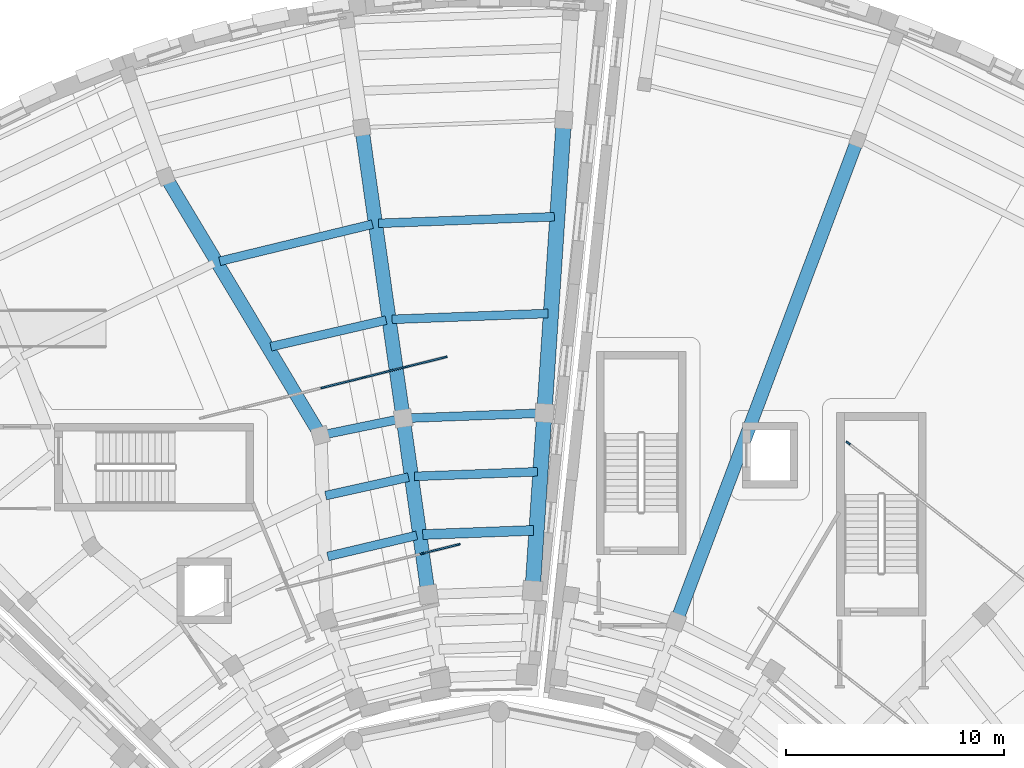
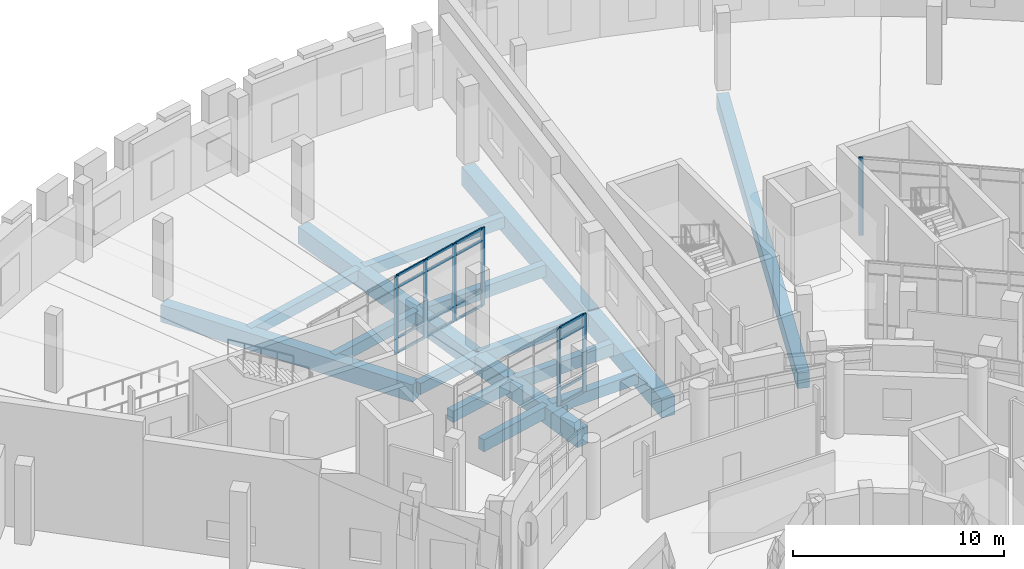
# One storey, part 23 of 75: 23 members, 16 beams, 3 elements without a shape of their own.
"""IFC4 building model written with IfcOpenShell, lengths in metres."""

from ifc_helpers import new_model, si_unit, direction, frame, origin, origin_2d, place, context, subcontext, project, spatial, rectangle, extrude, material, material_profile, profile_set, type_object, element, aggregate, save


model = new_model("IFC4")

# Units and contexts
model_context = context("Model", 3, precision=1e-05, world=origin(), true_north=direction((0.0, 1.0)))
body_context = subcontext(model_context, "Body", "Model", "MODEL_VIEW")
ifc_project = project(units=[si_unit("LENGTHUNIT", "METRE"), si_unit("AREAUNIT", "SQUARE_METRE"), si_unit("VOLUMEUNIT", "CUBIC_METRE"), si_unit("PLANEANGLEUNIT", "RADIAN"), si_unit("MASSUNIT", "GRAM", prefix="KILO")], contexts=[model_context])

# Site, building, storey
site_placement = place(None, origin())
site = spatial("IfcSite", under=ifc_project, at=site_placement, CompositionType="ELEMENT")
building_placement = place(site_placement, origin())
building = spatial("IfcBuilding", under=site, at=building_placement, Name="Soyqirgoq Riverine Aquarium", CompositionType="ELEMENT")
storey_placement = place(building_placement, frame((0.0, 0.0, 10.199951171875)))
storey = spatial("IfcBuildingStorey", under=building, at=storey_placement, Name="L03", CompositionType="ELEMENT", Elevation=10.199951171875)

# Beams
ifc_material_1 = material(Name="Concrete C40/50", Category="concrete")
ifc_material_profile_1 = material_profile(ifc_material_1, rectangle(XDim=0.39990234375, YDim=0.60009765625, at=origin_2d()), Name="RC 400x600")
ifc_profile_set_1 = profile_set([ifc_material_profile_1], Name="Concrete C40/50")
beam_type_1 = type_object("IfcBeamType", Name="Beam_RC_400x600", PredefinedType="JOIST", material=ifc_profile_set_1)
beam_1_placement = place(storey_placement, frame((50.197998046875, 96.77734375, -0.599853515625), z_axis=(-0.971787927417, -0.235856363336, 0.0), x_axis=(0.235856363336, -0.971787927417, 0.0)))
element("IfcBeam", 1, at=beam_1_placement, inside=storey, type_object=beam_type_1, Name="V4 L03 Secondary Floor Joist 0656", PredefinedType="JOIST", context=body_context, shape_type="SweptSolid", body=[
    extrude(rectangle(XDim=0.39990234375, YDim=0.60009765625, at=origin_2d()), origin(), (0.0, 0.0, 1.0), 7.1962890625),
])
ifc_material_2 = material(Name="Concrete C40/50", Category="concrete")
ifc_material_profile_2 = material_profile(ifc_material_2, rectangle(XDim=0.39990234375, YDim=0.64990234375, at=origin_2d()), Name="RC 400x650")
ifc_profile_set_2 = profile_set([ifc_material_profile_2], Name="Concrete C40/50")
beam_type_2 = type_object("IfcBeamType", Name="Beam_RC_400x650", PredefinedType="BEAM", material=ifc_profile_set_2)
beam_2_placement = place(storey_placement, frame((51.84619140625, 85.195556640625, -0.625), z_axis=(-0.976074551465, -0.217436128513, 0.0), x_axis=(0.217436128513, -0.976074551465, 0.0)))
element("IfcBeam", 2, at=beam_2_placement, inside=storey, type_object=beam_type_2, Name="V4 L03 Secondary Floor Joist 0645", PredefinedType="BEAM", context=body_context, shape_type="SweptSolid", body=[
    extrude(rectangle(XDim=0.39990234375, YDim=0.64990234375, at=origin_2d()), origin(), (0.0, 0.0, 1.0), 3.885009765625),
])
beam_3_placement = place(storey_placement, frame((51.554931640625, 87.878662109375, -0.625), z_axis=(-0.979400860491, -0.20192561618, 0.0), x_axis=(0.20192561618, -0.979400860491, 0.0)))
element("IfcBeam", 3, at=beam_3_placement, inside=storey, type_object=beam_type_2, Name="V4 L03 Wedge Chord Beam 0651", PredefinedType="BEAM", context=body_context, shape_type="SweptSolid", body=[
    extrude(rectangle(XDim=0.39990234375, YDim=0.64990234375, at=origin_2d()), origin(), (0.0, 0.0, 1.0), 3.763916015625),
])
beam_4_placement = place(storey_placement, frame((58.52490234375, 97.117919921875, -0.625), z_axis=(-0.999296026099, -0.03751602621, 0.0), x_axis=(0.03751602621, -0.999296026099, 0.0)))
element("IfcBeam", 4, at=beam_4_placement, inside=storey, type_object=beam_type_2, Name="V4 L03 Secondary Floor Joist 0654", PredefinedType="BEAM", context=body_context, shape_type="SweptSolid", body=[
    extrude(rectangle(XDim=0.39990234375, YDim=0.64990234375, at=origin_2d()), origin(), (0.0, 0.0, 1.0), 8.056396484375),
])
beam_5_placement = place(storey_placement, frame((50.822998046875, 92.384765625, -0.625), z_axis=(-0.974458007266, -0.224569793329, 0.0), x_axis=(0.224569793329, -0.974458007266, 0.0)))
element("IfcBeam", 5, at=beam_5_placement, inside=storey, type_object=beam_type_2, Name="V4 L03 Secondary Floor Joist 0655", PredefinedType="BEAM", context=body_context, shape_type="SweptSolid", body=[
    extrude(rectangle(XDim=0.39990234375, YDim=0.64990234375, at=origin_2d()), origin(), (0.0, 0.0, 1.0), 5.416259765625),
])
ifc_material_3 = material(Name="Concrete C40/50", Category="concrete")
ifc_material_profile_3 = material_profile(ifc_material_3, rectangle(XDim=0.39990234375, YDim=0.699951171875, at=origin_2d()), Name="RC 400x700")
ifc_profile_set_3 = profile_set([ifc_material_profile_3], Name="Concrete C40/50")
beam_type_3 = type_object("IfcBeamType", Name="Beam_RC_400x700", PredefinedType="BEAM", material=ifc_profile_set_3)
beam_6_placement = place(storey_placement, frame((57.74951171875, 85.442626953125, -0.64990234375), z_axis=(-0.999294791735, -0.037548890946, 0.0), x_axis=(0.037548890946, -0.999294791735, 0.0)))
element("IfcBeam", 6, at=beam_6_placement, inside=storey, type_object=beam_type_3, Name="V4 L03 Secondary Floor Joist 0643", PredefinedType="BEAM", context=body_context, shape_type="SweptSolid", body=[
    extrude(rectangle(XDim=0.39990234375, YDim=0.699951171875, at=origin_2d()), origin(), (0.0, 0.0, 1.0), 5.630615234375),
])
beam_7_placement = place(storey_placement, frame((52.2255859375, 82.531005859375, -0.64990234375), z_axis=(-0.973004184132, -0.230787472931, 0.0), x_axis=(0.230787472931, -0.973004184132, 0.0)))
element("IfcBeam", 7, at=beam_7_placement, inside=storey, type_object=beam_type_3, Name="V4 L03 Secondary Floor Joist 0644", PredefinedType="BEAM", context=body_context, shape_type="SweptSolid", body=[
    extrude(rectangle(XDim=0.39990234375, YDim=0.699951171875, at=origin_2d()), origin(), (0.0, 0.0, 1.0), 4.18701171875),
])
beam_8_placement = place(storey_placement, frame((58.017578125, 88.12939453125, -0.64990234375), z_axis=(-0.999296861804, -0.037493759336, 0.0), x_axis=(0.037493759336, -0.999296861804, 0.0)))
element("IfcBeam", 8, at=beam_8_placement, inside=storey, type_object=beam_type_3, Name="V4 L03 Wedge Chord Beam 0650", PredefinedType="BEAM", context=body_context, shape_type="SweptSolid", body=[
    extrude(rectangle(XDim=0.39990234375, YDim=0.699951171875, at=origin_2d()), origin(), (0.0, 0.0, 1.0), 6.3681640625),
])
beam_9_placement = place(storey_placement, frame((58.23095703125, 92.689208984375, -0.64990234375), z_axis=(-0.999295532378, -0.037529174906, 0.0), x_axis=(0.037529174906, -0.999295532378, 0.0)))
element("IfcBeam", 9, at=beam_9_placement, inside=storey, type_object=beam_type_3, Name="V4 L03 Secondary Floor Joist 0653", PredefinedType="BEAM", context=body_context, shape_type="SweptSolid", body=[
    extrude(rectangle(XDim=0.39990234375, YDim=0.699951171875, at=origin_2d()), origin(), (0.0, 0.0, 1.0), 7.136474609375),
])
ifc_material_4 = material(Name="Concrete C40/50", Category="concrete")
ifc_material_profile_4 = material_profile(ifc_material_4, rectangle(XDim=0.449951171875, YDim=0.64990234375, at=origin_2d()), Name="RC 450x650")
ifc_profile_set_4 = profile_set([ifc_material_profile_4], Name="Concrete C40/50")
beam_type_4 = type_object("IfcBeamType", Name="Beam_RC_450x650", PredefinedType="BEAM", material=ifc_profile_set_4)
beam_10_placement = place(storey_placement, frame((57.5712890625, 82.759033203125, -0.625), z_axis=(-0.999295248441, -0.037536734591, 0.0), x_axis=(0.037536734591, -0.999295248441, 0.0)))
element("IfcBeam", 10, at=beam_10_placement, inside=storey, type_object=beam_type_4, Name="V4 L03 Secondary Floor Joist 0642", PredefinedType="BEAM", context=body_context, shape_type="SweptSolid", body=[
    extrude(rectangle(XDim=0.449951171875, YDim=0.64990234375, at=origin_2d()), origin(), (0.0, 0.0, 1.0), 5.0732421875),
])

# Curtain wall, members
ifc_material_5 = material(Name="Cast polymethyl methacrylate PMMA Habitat Viewing Glazing", Category="glass")
curtain_wall_type = type_object("IfcCurtainWallType", Name="CW_Interior_TankVitrine", PredefinedType="NOTDEFINED", material=ifc_material_5)
curtain_wall_1_placement = place(storey_placement, origin())
curtain_wall_1 = element("IfcCurtainWall", 11, at=curtain_wall_1_placement, inside=storey, type_object=curtain_wall_type, Name="V4 L03 Curtain Wall 155", PredefinedType="NOTDEFINED")
ifc_material_6 = material(Name="Anodised aluminium 6063-T6", Category="aluminium")
ifc_material_profile_5 = material_profile(ifc_material_6, rectangle(XDim=0.080078125, YDim=0.219970703125, at=origin_2d()), Name="ALU-M 80x220")
ifc_profile_set_5 = profile_set([ifc_material_profile_5], Name="Anodised aluminium 6063-T6")
member_type_1 = type_object("IfcMemberType", Name="CWMullion_80x220", PredefinedType="MULLION", material=ifc_profile_set_5)
member_1_placement = place(storey_placement, frame((54.106201171875, 82.104736328125, 0.0), z_axis=(0.0, 0.0, 1.0), x_axis=(0.241922023881, -0.970295694292, 0.0)))
member_1 = element("IfcMember", 12, at=member_1_placement, type_object=member_type_1, Name="CW-07 mullion 1", PredefinedType="MULLION", context=body_context, shape_type="SweptSolid", body=[
    extrude(rectangle(XDim=0.080078125, YDim=0.219970703125, at=origin_2d()), origin(), (0.0, 0.0, 1.0), 4.52001953125),
])
member_2_placement = place(storey_placement, frame((52.485595703125, 81.70068359375, 0.0), z_axis=(0.0, 0.0, 1.0), x_axis=(0.241922023881, -0.970295694292, 0.0)))
member_2 = element("IfcMember", 13, at=member_2_placement, type_object=member_type_1, Name="CW-07 mullion 2", PredefinedType="MULLION", context=body_context, shape_type="SweptSolid", body=[
    extrude(rectangle(XDim=0.080078125, YDim=0.219970703125, at=origin_2d()), origin(), (0.0, 0.0, 1.0), 4.52001953125),
])

curtain_wall_2_placement = place(storey_placement, origin())
curtain_wall_2 = element("IfcCurtainWall", 14, at=curtain_wall_2_placement, inside=storey, type_object=curtain_wall_type, Name="V4 L03 Curtain Wall 156", PredefinedType="NOTDEFINED")
member_3_placement = place(storey_placement, frame((53.50634765625, 90.683837890625, 0.0), z_axis=(0.0, 0.0, 1.0), x_axis=(0.241925862079, -0.970294737313, 0.0)))
member_3 = element("IfcMember", 15, at=member_3_placement, type_object=member_type_1, Name="CW-07 mullion 1", PredefinedType="MULLION", context=body_context, shape_type="SweptSolid", body=[
    extrude(rectangle(XDim=0.080078125, YDim=0.219970703125, at=origin_2d()), origin(), (0.0, 0.0, 1.0), 4.52001953125),
])
member_4_placement = place(storey_placement, frame((51.67919921875, 90.228271484375, 0.0), z_axis=(0.0, 0.0, 1.0), x_axis=(0.241925862079, -0.970294737313, 0.0)))
member_4 = element("IfcMember", 16, at=member_4_placement, type_object=member_type_1, Name="CW-07 mullion 2", PredefinedType="MULLION", context=body_context, shape_type="SweptSolid", body=[
    extrude(rectangle(XDim=0.080078125, YDim=0.219970703125, at=origin_2d()), origin(), (0.0, 0.0, 1.0), 4.52001953125),
])
member_5_placement = place(storey_placement, frame((49.813232421875, 89.762939453125, 0.0), z_axis=(0.0, 0.0, 1.0), x_axis=(0.241925862079, -0.970294737313, 0.0)))
member_5 = element("IfcMember", 17, at=member_5_placement, type_object=member_type_1, Name="CW-07 mullion 3", PredefinedType="MULLION", context=body_context, shape_type="SweptSolid", body=[
    extrude(rectangle(XDim=0.080078125, YDim=0.219970703125, at=origin_2d()), origin(), (0.0, 0.0, 1.0), 4.52001953125),
])
member_6_placement = place(storey_placement, frame((47.947265625, 89.2978515625, 0.0), z_axis=(0.0, 0.0, 1.0), x_axis=(0.241925862079, -0.970294737313, 0.0)))
member_6 = element("IfcMember", 18, at=member_6_placement, type_object=member_type_1, Name="CW-07 mullion 4", PredefinedType="MULLION", context=body_context, shape_type="SweptSolid", body=[
    extrude(rectangle(XDim=0.080078125, YDim=0.219970703125, at=origin_2d()), origin(), (0.0, 0.0, 1.0), 4.52001953125),
])

# Curtain wall, member
curtain_wall_3_placement = place(storey_placement, origin())
curtain_wall_3 = element("IfcCurtainWall", 19, at=curtain_wall_3_placement, inside=storey, type_object=curtain_wall_type, Name="V5 L03 Curtain Wall 162", PredefinedType="NOTDEFINED")
member_7_placement = place(storey_placement, frame((71.978515625, 86.75732421875, 0.0), z_axis=(0.0, 0.0, 1.0), x_axis=(-0.615655141832, -0.788015701833, 0.0)))
member_7 = element("IfcMember", 20, at=member_7_placement, type_object=member_type_1, Name="CW-07 mullion 7", PredefinedType="MULLION", context=body_context, shape_type="SweptSolid", body=[
    extrude(rectangle(XDim=0.080078125, YDim=0.219970703125, at=origin_2d()), origin(), (0.0, 0.0, 1.0), 4.52001953125),
])
aggregate(curtain_wall_3, [member_7])

# Member
ifc_material_7 = material(Name="Anodised aluminium 6063-T6", Category="aluminium")
ifc_material_profile_6 = material_profile(ifc_material_7, rectangle(XDim=0.074951171875, YDim=0.14990234375, at=origin_2d()), Name="ALU-T 75x150")
ifc_profile_set_6 = profile_set([ifc_material_profile_6], Name="Anodised aluminium 6063-T6")
member_type_2 = type_object("IfcMemberType", Name="CWTransom_75x150", PredefinedType="USERDEFINED", material=ifc_profile_set_6)
member_8_placement = place(storey_placement, frame((54.0673828125, 82.094970703125, 0.03759765625), z_axis=(-0.970286823405, -0.241957600267, 0.0), x_axis=(0.241957600267, -0.970286823405, 0.0)))
member_8 = element("IfcMember", 21, at=member_8_placement, type_object=member_type_2, Name="CW-07 transom 1.1", ObjectType="TRANSOM", PredefinedType="USERDEFINED", context=body_context, shape_type="SweptSolid", body=[
    extrude(rectangle(XDim=0.074951171875, YDim=0.14990234375, at=origin_2d()), origin(), (0.0, 0.0, 1.0), 1.59033203125),
])

member_9_placement = place(storey_placement, frame((54.0673828125, 82.094970703125, 0.900146484375), z_axis=(-0.970286823405, -0.241957600267, 0.0), x_axis=(0.241957600267, -0.970286823405, 0.0)))
member_9 = element("IfcMember", 22, at=member_9_placement, type_object=member_type_2, Name="CW-07 transom 1.2", ObjectType="TRANSOM", PredefinedType="USERDEFINED", context=body_context, shape_type="SweptSolid", body=[
    extrude(rectangle(XDim=0.074951171875, YDim=0.14990234375, at=origin_2d()), origin(), (0.0, 0.0, 1.0), 1.59033203125),
])

member_10_placement = place(storey_placement, frame((54.0673828125, 82.094970703125, 3.820068359375), z_axis=(-0.970286823405, -0.241957600267, 0.0), x_axis=(0.241957600267, -0.970286823405, 0.0)))
member_10 = element("IfcMember", 23, at=member_10_placement, type_object=member_type_2, Name="CW-07 transom 1.3", ObjectType="TRANSOM", PredefinedType="USERDEFINED", context=body_context, shape_type="SweptSolid", body=[
    extrude(rectangle(XDim=0.074951171875, YDim=0.14990234375, at=origin_2d()), origin(), (0.0, 0.0, 1.0), 1.59033203125),
])

member_11_placement = place(storey_placement, frame((54.0673828125, 82.094970703125, 4.482666015625), z_axis=(-0.970286823405, -0.241957600267, 0.0), x_axis=(0.241957600267, -0.970286823405, 0.0)))
member_11 = element("IfcMember", 24, at=member_11_placement, type_object=member_type_2, Name="CW-07 transom 1.4", ObjectType="TRANSOM", PredefinedType="USERDEFINED", context=body_context, shape_type="SweptSolid", body=[
    extrude(rectangle(XDim=0.074951171875, YDim=0.14990234375, at=origin_2d()), origin(), (0.0, 0.0, 1.0), 1.59033203125),
])

aggregate(curtain_wall_1, [member_1, member_2, member_8, member_9, member_10, member_11])

member_12_placement = place(storey_placement, frame((53.467529296875, 90.674072265625, 0.03759765625), z_axis=(-0.970317477886, -0.241834637944, 0.0), x_axis=(0.241834637944, -0.970317477886, 0.0)))
member_12 = element("IfcMember", 25, at=member_12_placement, type_object=member_type_2, Name="CW-07 transom 1.1", ObjectType="TRANSOM", PredefinedType="USERDEFINED", context=body_context, shape_type="SweptSolid", body=[
    extrude(rectangle(XDim=0.074951171875, YDim=0.14990234375, at=origin_2d()), origin(), (0.0, 0.0, 1.0), 1.802978515625),
])

member_13_placement = place(storey_placement, frame((53.467529296875, 90.674072265625, 0.900146484375), z_axis=(-0.970317477886, -0.241834637944, 0.0), x_axis=(0.241834637944, -0.970317477886, 0.0)))
member_13 = element("IfcMember", 26, at=member_13_placement, type_object=member_type_2, Name="CW-07 transom 1.2", ObjectType="TRANSOM", PredefinedType="USERDEFINED", context=body_context, shape_type="SweptSolid", body=[
    extrude(rectangle(XDim=0.074951171875, YDim=0.14990234375, at=origin_2d()), origin(), (0.0, 0.0, 1.0), 1.802978515625),
])

member_14_placement = place(storey_placement, frame((53.467529296875, 90.674072265625, 3.820068359375), z_axis=(-0.970317477886, -0.241834637944, 0.0), x_axis=(0.241834637944, -0.970317477886, 0.0)))
member_14 = element("IfcMember", 27, at=member_14_placement, type_object=member_type_2, Name="CW-07 transom 1.3", ObjectType="TRANSOM", PredefinedType="USERDEFINED", context=body_context, shape_type="SweptSolid", body=[
    extrude(rectangle(XDim=0.074951171875, YDim=0.14990234375, at=origin_2d()), origin(), (0.0, 0.0, 1.0), 1.802978515625),
])

member_15_placement = place(storey_placement, frame((53.467529296875, 90.674072265625, 4.482666015625), z_axis=(-0.970317477886, -0.241834637944, 0.0), x_axis=(0.241834637944, -0.970317477886, 0.0)))
member_15 = element("IfcMember", 28, at=member_15_placement, type_object=member_type_2, Name="CW-07 transom 1.4", ObjectType="TRANSOM", PredefinedType="USERDEFINED", context=body_context, shape_type="SweptSolid", body=[
    extrude(rectangle(XDim=0.074951171875, YDim=0.14990234375, at=origin_2d()), origin(), (0.0, 0.0, 1.0), 1.802978515625),
])

member_16_placement = place(storey_placement, frame((51.640380859375, 90.218505859375, 0.03759765625), z_axis=(-0.970305912546, -0.241881037039, 0.0), x_axis=(0.241881037039, -0.970305912546, 0.0)))
member_16 = element("IfcMember", 29, at=member_16_placement, type_object=member_type_2, Name="CW-07 transom 2.1", ObjectType="TRANSOM", PredefinedType="USERDEFINED", context=body_context, shape_type="SweptSolid", body=[
    extrude(rectangle(XDim=0.074951171875, YDim=0.14990234375, at=origin_2d()), origin(), (0.0, 0.0, 1.0), 1.843017578125),
])

member_17_placement = place(storey_placement, frame((51.640380859375, 90.218505859375, 0.900146484375), z_axis=(-0.970305912546, -0.241881037039, 0.0), x_axis=(0.241881037039, -0.970305912546, 0.0)))
member_17 = element("IfcMember", 30, at=member_17_placement, type_object=member_type_2, Name="CW-07 transom 2.2", ObjectType="TRANSOM", PredefinedType="USERDEFINED", context=body_context, shape_type="SweptSolid", body=[
    extrude(rectangle(XDim=0.074951171875, YDim=0.14990234375, at=origin_2d()), origin(), (0.0, 0.0, 1.0), 1.843017578125),
])

member_18_placement = place(storey_placement, frame((51.640380859375, 90.218505859375, 3.820068359375), z_axis=(-0.970305912546, -0.241881037039, 0.0), x_axis=(0.241881037039, -0.970305912546, 0.0)))
member_18 = element("IfcMember", 31, at=member_18_placement, type_object=member_type_2, Name="CW-07 transom 2.3", ObjectType="TRANSOM", PredefinedType="USERDEFINED", context=body_context, shape_type="SweptSolid", body=[
    extrude(rectangle(XDim=0.074951171875, YDim=0.14990234375, at=origin_2d()), origin(), (0.0, 0.0, 1.0), 1.843017578125),
])

member_19_placement = place(storey_placement, frame((51.640380859375, 90.218505859375, 4.482666015625), z_axis=(-0.970305912546, -0.241881037039, 0.0), x_axis=(0.241881037039, -0.970305912546, 0.0)))
member_19 = element("IfcMember", 32, at=member_19_placement, type_object=member_type_2, Name="CW-07 transom 2.4", ObjectType="TRANSOM", PredefinedType="USERDEFINED", context=body_context, shape_type="SweptSolid", body=[
    extrude(rectangle(XDim=0.074951171875, YDim=0.14990234375, at=origin_2d()), origin(), (0.0, 0.0, 1.0), 1.843017578125),
])

member_20_placement = place(storey_placement, frame((49.7744140625, 89.75341796875, 0.03759765625), z_axis=(-0.970274816184, -0.242005745962, 0.0), x_axis=(0.242005745962, -0.970274816184, 0.0)))
member_20 = element("IfcMember", 33, at=member_20_placement, type_object=member_type_2, Name="CW-07 transom 3.1", ObjectType="TRANSOM", PredefinedType="USERDEFINED", context=body_context, shape_type="SweptSolid", body=[
    extrude(rectangle(XDim=0.074951171875, YDim=0.14990234375, at=origin_2d()), origin(), (0.0, 0.0, 1.0), 1.843017578125),
])

member_21_placement = place(storey_placement, frame((49.7744140625, 89.75341796875, 0.900146484375), z_axis=(-0.970274816184, -0.242005745962, 0.0), x_axis=(0.242005745962, -0.970274816184, 0.0)))
member_21 = element("IfcMember", 34, at=member_21_placement, type_object=member_type_2, Name="CW-07 transom 3.2", ObjectType="TRANSOM", PredefinedType="USERDEFINED", context=body_context, shape_type="SweptSolid", body=[
    extrude(rectangle(XDim=0.074951171875, YDim=0.14990234375, at=origin_2d()), origin(), (0.0, 0.0, 1.0), 1.843017578125),
])

member_22_placement = place(storey_placement, frame((49.7744140625, 89.75341796875, 3.820068359375), z_axis=(-0.970274816184, -0.242005745962, 0.0), x_axis=(0.242005745962, -0.970274816184, 0.0)))
member_22 = element("IfcMember", 35, at=member_22_placement, type_object=member_type_2, Name="CW-07 transom 3.3", ObjectType="TRANSOM", PredefinedType="USERDEFINED", context=body_context, shape_type="SweptSolid", body=[
    extrude(rectangle(XDim=0.074951171875, YDim=0.14990234375, at=origin_2d()), origin(), (0.0, 0.0, 1.0), 1.843017578125),
])

member_23_placement = place(storey_placement, frame((49.7744140625, 89.75341796875, 4.482666015625), z_axis=(-0.970274816184, -0.242005745962, 0.0), x_axis=(0.242005745962, -0.970274816184, 0.0)))
member_23 = element("IfcMember", 36, at=member_23_placement, type_object=member_type_2, Name="CW-07 transom 3.4", ObjectType="TRANSOM", PredefinedType="USERDEFINED", context=body_context, shape_type="SweptSolid", body=[
    extrude(rectangle(XDim=0.074951171875, YDim=0.14990234375, at=origin_2d()), origin(), (0.0, 0.0, 1.0), 1.843017578125),
])

aggregate(curtain_wall_2, [member_3, member_4, member_5, member_6, member_12, member_13, member_14, member_15, member_16, member_17, member_18, member_19, member_20, member_21, member_22, member_23])

# Beams
ifc_material_8 = material(Name="Concrete C40/50", Category="concrete")
ifc_material_profile_7 = material_profile(ifc_material_8, rectangle(XDim=0.60009765625, YDim=1.0, at=origin_2d()), Name="RC 600x1000")
ifc_profile_set_7 = profile_set([ifc_material_profile_7], Name="Concrete C40/50")
beam_type_5 = type_object("IfcBeamType", Name="Girder_RC_600x1000", PredefinedType="BEAM", material=ifc_profile_set_7)
beam_11_placement = place(storey_placement, frame((47.7939453125, 87.1513671875, -0.800048828125), z_axis=(-0.513518519238, 0.858078510627, 0.0), x_axis=(-0.858078510627, -0.513518519238, 0.0)))
element("IfcBeam", 37, at=beam_11_placement, inside=storey, type_object=beam_type_5, Name="V4 L03 Wedge Radial Girder 0616", PredefinedType="BEAM", context=body_context, shape_type="SweptSolid", body=[
    extrude(rectangle(XDim=0.60009765625, YDim=1.0, at=origin_2d()), origin(), (0.0, 0.0, 1.0), 13.70849609375),
])
ifc_material_9 = material(Name="Concrete C40/50", Category="concrete")
ifc_material_profile_8 = material_profile(ifc_material_9, rectangle(XDim=0.60009765625, YDim=0.89990234375, at=origin_2d()), Name="RC 600x900")
ifc_profile_set_8 = profile_set([ifc_material_profile_8], Name="Concrete C40/50")
beam_type_6 = type_object("IfcBeamType", Name="Girder_RC_600x900", PredefinedType="BEAM", material=ifc_profile_set_8)
beam_12_placement = place(storey_placement, frame((64.12744140625, 78.623046875, -0.75), z_axis=(0.351844020592, 0.936058644089, 0.0), x_axis=(-0.936058644089, 0.351844020592, 0.0)))
element("IfcBeam", 38, at=beam_12_placement, inside=storey, type_object=beam_type_6, Name="V5 L03 Wedge Radial Girder 0861", PredefinedType="BEAM", context=body_context, shape_type="SweptSolid", body=[
    extrude(rectangle(XDim=0.60009765625, YDim=0.89990234375, at=origin_2d()), origin(), (0.0, 0.0, 1.0), 23.5),
])
ifc_material_10 = material(Name="Concrete C40/50", Category="concrete")
ifc_material_profile_9 = material_profile(ifc_material_10, rectangle(XDim=0.64990234375, YDim=1.0, at=origin_2d()), Name="RC 650x1000")
ifc_profile_set_9 = profile_set([ifc_material_profile_9], Name="Concrete C40/50")
beam_type_7 = type_object("IfcBeamType", Name="Girder_RC_650x1000", PredefinedType="BEAM", material=ifc_profile_set_9)
beam_13_placement = place(storey_placement, frame((52.7451171875, 79.869384765625, -0.800048828125), z_axis=(-0.140903336664, 0.990023358167, 0.0), x_axis=(-0.990023358167, -0.140903336664, 0.0)))
element("IfcBeam", 39, at=beam_13_placement, inside=storey, type_object=beam_type_7, Name="V4 L03 Wedge Radial Girder 0611", PredefinedType="BEAM", context=body_context, shape_type="SweptSolid", body=[
    extrude(rectangle(XDim=0.64990234375, YDim=1.0, at=origin_2d()), origin(), (0.0, 0.0, 1.0), 8.050048828125),
])
beam_14_placement = place(storey_placement, frame((51.596923828125, 87.938232421875, -0.800048828125), z_axis=(-0.140906721277, 0.990022876452, 0.0), x_axis=(-0.990022876452, -0.140906721277, 0.0)))
element("IfcBeam", 40, at=beam_14_placement, inside=storey, type_object=beam_type_7, Name="V4 L03 Wedge Radial Girder 0612", PredefinedType="BEAM", context=body_context, shape_type="SweptSolid", body=[
    extrude(rectangle(XDim=0.64990234375, YDim=1.0, at=origin_2d()), origin(), (0.0, 0.0, 1.0), 13.35009765625),
])
ifc_material_11 = material(Name="Concrete C40/50", Category="concrete")
ifc_material_profile_10 = material_profile(ifc_material_11, rectangle(XDim=0.699951171875, YDim=1.10009765625, at=origin_2d()), Name="RC 700x1100")
ifc_profile_set_10 = profile_set([ifc_material_profile_10], Name="Concrete C40/50")
beam_type_8 = type_object("IfcBeamType", Name="Girder_RC_700x1100", PredefinedType="BEAM", material=ifc_profile_set_10)
beam_15_placement = place(storey_placement, frame((57.531005859375, 80.04931640625, -0.849853515625), z_axis=(0.066267390666, 0.997801900647, 0.0), x_axis=(-0.997801900647, 0.066267390666, 0.0)))
element("IfcBeam", 41, at=beam_15_placement, inside=storey, type_object=beam_type_8, Name="V4 L03 Wedge Radial Girder 0607", PredefinedType="BEAM", context=body_context, shape_type="SweptSolid", body=[
    extrude(rectangle(XDim=0.699951171875, YDim=1.10009765625, at=origin_2d()), origin(), (0.0, 0.0, 1.0), 8.0498046875),
])
beam_16_placement = place(storey_placement, frame((58.071044921875, 88.181396484375, -0.849853515625), z_axis=(0.066275036156, 0.997801392855, 0.0), x_axis=(-0.997801392855, 0.066275036156, 0.0)))
element("IfcBeam", 42, at=beam_16_placement, inside=storey, type_object=beam_type_8, Name="V4 L03 Wedge Radial Girder 0608", PredefinedType="BEAM", context=body_context, shape_type="SweptSolid", body=[
    extrude(rectangle(XDim=0.699951171875, YDim=1.10009765625, at=origin_2d()), origin(), (0.0, 0.0, 1.0), 13.349853515625),
])

save(model, "model.ifc")
